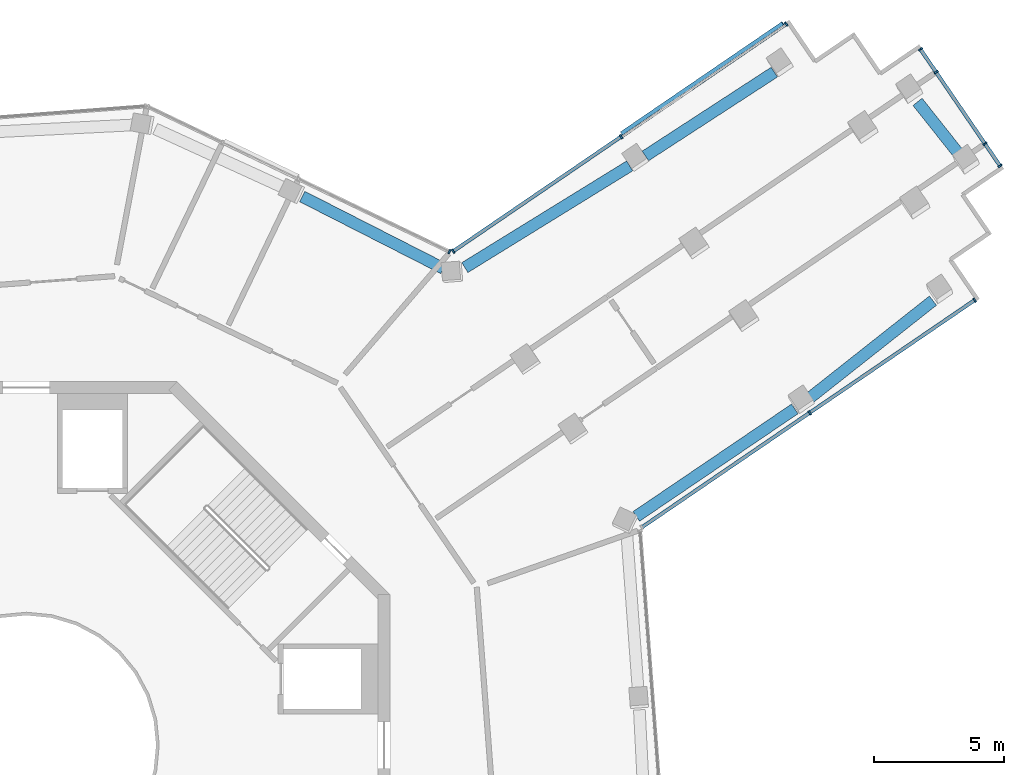
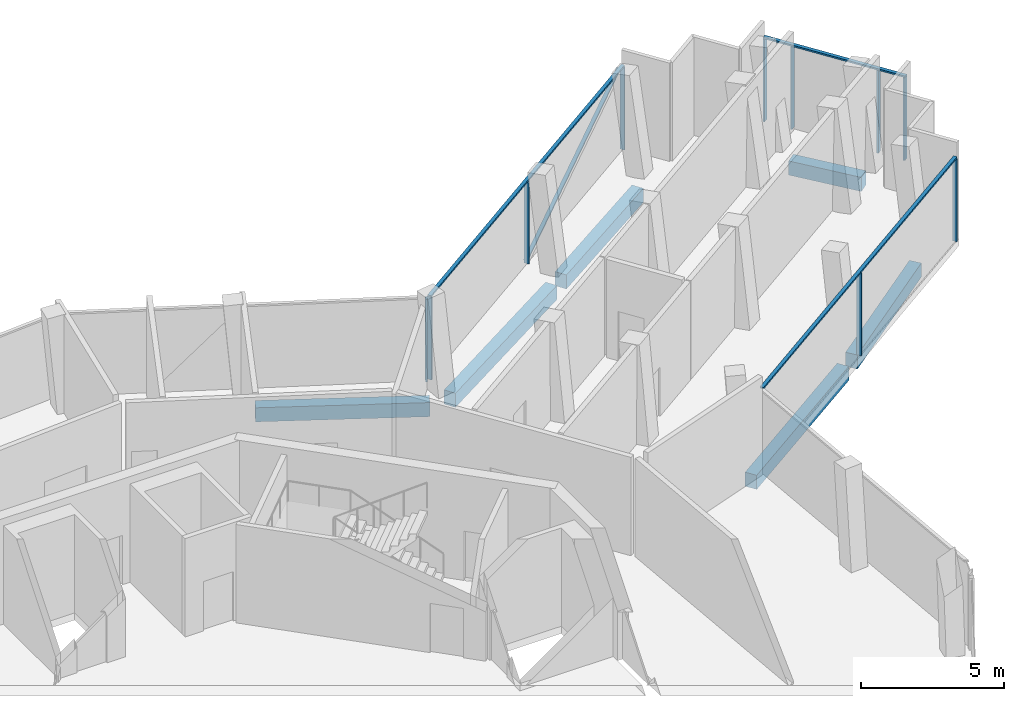
# One storey, part 8 of 19: 14 members, 6 beams, 4 elements without a shape of their own.
"""IFC4 building model written with IfcOpenShell, lengths in metres."""

import ifcopenshell
import ifcopenshell.guid

model = None  # the IFC model being written
_history = None  # IfcOwnerHistory: only IFC2X3 demands one
_inside = {}  # id of a spatial element -> (the spatial element, [elements in it])
_under = {}  # id of a project, library or spatial element -> (it, [spatial elements below it])
_declared = {}  # id of a project -> (the project, [libraries it declares])
_typed = {}  # id of a type object -> (the type object, [elements of that type])
_made_of = {}  # id of a material, layer set ... -> (it, [elements and type objects made of it])


def new_model(schema):
    """Start an empty IFC model of exactly this schema.

    Asked for "IFC4X3", IfcOpenShell would pick the latest addendum, in which some entities
    have other attributes; the version numbers below select the first issue.
    IFC2X3 requires an IfcOwnerHistory on every rooted entity: one is made here for all.
    """
    global model, _history
    if schema == "IFC4X3":
        model = ifcopenshell.file(schema_version=(4, 3, 0, 0))
    else:
        model = ifcopenshell.file(schema=schema)
    _inside.clear()
    _under.clear()
    _declared.clear()
    _typed.clear()
    _made_of.clear()
    _history = None
    if model.schema == "IFC2X3":
        org = make("IfcOrganization", Name="unknown")
        user = make(
            "IfcPersonAndOrganization",
            ThePerson=make("IfcPerson", FamilyName="unknown"),
            TheOrganization=org,
        )
        app = make(
            "IfcApplication",
            ApplicationDeveloper=org,
            Version="unknown",
            ApplicationFullName="unknown",
            ApplicationIdentifier="unknown",
        )
        _history = make(
            "IfcOwnerHistory",
            OwningUser=user,
            OwningApplication=app,
            ChangeAction="ADDED",
            CreationDate=0,
        )
    return model


def make(cls, **values):
    """One entity of the class cls with the attributes given. An attribute that is None is left unset."""
    return model.create_entity(
        cls, **{name: value for name, value in values.items() if value is not None}
    )


def rooted(cls, **values):
    """An entity with a GlobalId (a new one), such as an element, a storey or a relation."""
    return make(cls, GlobalId=ifcopenshell.guid.new(), OwnerHistory=_history, **values)


def si_unit(unit_type, name, prefix=None):
    """IfcSIUnit, for example si_unit("LENGTHUNIT", "METRE", prefix="MILLI")."""
    return make("IfcSIUnit", UnitType=unit_type, Prefix=prefix, Name=name)


def assignment(units):
    """IfcUnitAssignment: the units of a project."""
    return None if units is None else make("IfcUnitAssignment", Units=units)


def point(xyz):
    """IfcCartesianPoint."""
    return None if xyz is None else make("IfcCartesianPoint", Coordinates=xyz)


def direction(xyz):
    """IfcDirection."""
    return None if xyz is None else make("IfcDirection", DirectionRatios=xyz)


def frame(location, z_axis=None, x_axis=None):
    """IfcAxis2Placement3D, a coordinate frame: its origin and axes. An axis left out is left unset."""
    return make(
        "IfcAxis2Placement3D",
        Location=point(location),
        Axis=direction(z_axis),
        RefDirection=direction(x_axis),
    )


def frame_2d(location, x_axis=None):
    """IfcAxis2Placement2D, a coordinate frame in the plane: its origin and x axis."""
    return make(
        "IfcAxis2Placement2D", Location=point(location), RefDirection=direction(x_axis)
    )


def origin():
    """The frame at (0, 0, 0) with its axes left unset."""
    return frame((0.0, 0.0, 0.0))


def origin_2d():
    """The frame at (0, 0) in the plane with its x axis left unset."""
    return frame_2d((0.0, 0.0))


def place(relative_to, where):
    """IfcLocalPlacement: puts the frame where relative to a parent placement (None: the world)."""
    return make(
        "IfcLocalPlacement", PlacementRelTo=relative_to, RelativePlacement=where
    )


def context(
    kind, dimensions, precision=None, world=None, true_north=None, identifier=None
):
    """IfcGeometricRepresentationContext, for example the 3D "Model" context."""
    return make(
        "IfcGeometricRepresentationContext",
        ContextIdentifier=identifier,
        ContextType=kind,
        CoordinateSpaceDimension=dimensions,
        Precision=precision,
        WorldCoordinateSystem=world,
        TrueNorth=true_north,
    )


def subcontext(parent, identifier, kind, view, scale=None):
    """IfcGeometricRepresentationSubContext, for example "Body" below "Model"."""
    return make(
        "IfcGeometricRepresentationSubContext",
        ContextIdentifier=identifier,
        ContextType=kind,
        ParentContext=parent,
        TargetScale=scale,
        TargetView=view,
    )


def project(units=None, contexts=None):
    """IfcProject with its units and contexts."""
    return rooted(
        "IfcProject",
        Name="project",
        RepresentationContexts=contexts,
        UnitsInContext=assignment(units),
    )


def spatial(cls, under=None, at=None, **own):
    """A site, building, storey or space (cls), placed at a placement, below another one or the project."""
    s = rooted(cls, ObjectPlacement=at, **own)
    if under is not None:
        _under.setdefault(under.id(), (under, []))[1].append(s)
    return s


def profile(cls, at=None, kind="AREA", **sizes):
    """A parametric profile (cls). Its sizes go by their IFC names, for example OverallWidth=200.0."""
    return make(cls, ProfileType=kind, Position=at, **sizes)


def rectangle(**sizes):
    """IfcRectangleProfileDef."""
    return profile("IfcRectangleProfileDef", **sizes)


def extrude(swept, where, along, depth):
    """IfcExtrudedAreaSolid: the profile swept, set in the frame where, extruded along a direction by depth."""
    return make(
        "IfcExtrudedAreaSolid",
        SweptArea=swept,
        Position=where,
        ExtrudedDirection=direction(along),
        Depth=depth,
    )


def shape(context_of_items, identifier, shape_type, items):
    """IfcShapeRepresentation: the items that make up one representation, for example the "Body"."""
    return make(
        "IfcShapeRepresentation",
        ContextOfItems=context_of_items,
        RepresentationIdentifier=identifier,
        RepresentationType=shape_type,
        Items=items,
    )


def material(Name=None, Category=None):
    """IfcMaterial."""
    return make("IfcMaterial", Name=Name, Category=Category)


def layer(
    of_material, thickness, ventilated=None, Name=None, Category=None, Priority=None
):
    """IfcMaterialLayer: one layer of a wall or slab, of a material (None: an air gap)."""
    return make(
        "IfcMaterialLayer",
        Material=of_material,
        LayerThickness=thickness,
        IsVentilated=ventilated,
        Name=Name,
        Category=Category,
        Priority=Priority,
    )


def layer_set(layers, Name=None):
    """IfcMaterialLayerSet."""
    return make("IfcMaterialLayerSet", MaterialLayers=layers, LayerSetName=Name)


def material_profile(
    of_material, cross_section, Name=None, Category=None, Priority=None
):
    """IfcMaterialProfile: a cross section and its material."""
    return make(
        "IfcMaterialProfile",
        Name=Name,
        Material=of_material,
        Profile=cross_section,
        Priority=Priority,
        Category=Category,
    )


def profile_set(profiles, Name=None, composite=None):
    """IfcMaterialProfileSet."""
    return make(
        "IfcMaterialProfileSet",
        Name=Name,
        MaterialProfiles=profiles,
        CompositeProfile=composite,
    )


def made_of(thing, what):
    """Note that an element or type object is made of a material, layer set ...; save() writes the relation."""
    if what is not None:
        _made_of.setdefault(what.id(), (what, []))[1].append(thing)
    return thing


def type_object(cls, material=None, **own):
    """A type object (cls), such as IfcWallType, which elements share."""
    return made_of(rooted(cls, **own), material)


def element(
    cls,
    number,
    at=None,
    inside=None,
    cuts=None,
    type_object=None,
    material=None,
    context=None,
    identifier="Body",
    shape_type=None,
    held_by="IfcProductDefinitionShape",
    body=None,
    shapes=None,
    **own,
):
    """One element of the class cls, such as IfcWall. Its Tag is "e" and its number.

    at: its placement. inside: the storey or other place that contains it. cuts: it is an
    opening in that element (IfcRelVoidsElement). A single representation is given by context,
    identifier, shape_type and body (its items); several are given by shapes. held_by: the class
    of the entity that holds the representations. save() writes the other relations.
    """
    e = rooted(cls, Tag="e%d" % number, ObjectPlacement=at, **own)
    if body is not None:
        shapes = [shape(context, identifier, shape_type, body)]
    if shapes is not None:
        e.Representation = make(held_by, Representations=shapes)
    if inside is not None:
        _inside.setdefault(inside.id(), (inside, []))[1].append(e)
    if cuts is not None:
        rooted(
            "IfcRelVoidsElement", RelatingBuildingElement=cuts, RelatedOpeningElement=e
        )
    if type_object is not None:
        _typed.setdefault(type_object.id(), (type_object, []))[1].append(e)
    return made_of(e, material)


def aggregate(whole, parts):
    """IfcRelAggregates: a whole, such as a stair, and the parts it consists of."""
    return rooted("IfcRelAggregates", RelatingObject=whole, RelatedObjects=parts)


def save(model, path):
    """Write the relations noted so far, then the file.

    IfcRelAggregates (storeys below a building ...), IfcRelContainedInSpatialStructure (elements
    in a storey), IfcRelDefinesByType, IfcRelAssociatesMaterial and IfcRelDeclares: one each for
    every whole, place, type object, material and project.
    """
    for whole, parts in _under.values():
        aggregate(whole, parts)
    for where, things in _inside.values():
        rooted(
            "IfcRelContainedInSpatialStructure",
            RelatedElements=things,
            RelatingStructure=where,
        )
    for kind, things in _typed.values():
        rooted("IfcRelDefinesByType", RelatedObjects=things, RelatingType=kind)
    for what, things in _made_of.values():
        rooted("IfcRelAssociatesMaterial", RelatedObjects=things, RelatingMaterial=what)
    for by, libraries in _declared.values():
        rooted("IfcRelDeclares", RelatingContext=by, RelatedDefinitions=libraries)
    model.write(path)


model = new_model("IFC4")

# Units and contexts
model_context = context("Model", 3, precision=1e-05, world=origin(), true_north=direction((0.0, 1.0)))
body_context = subcontext(model_context, "Body", "Model", "MODEL_VIEW")
ifc_project = project(units=[si_unit("LENGTHUNIT", "METRE"), si_unit("AREAUNIT", "SQUARE_METRE"), si_unit("VOLUMEUNIT", "CUBIC_METRE"), si_unit("PLANEANGLEUNIT", "RADIAN"), si_unit("MASSUNIT", "GRAM", prefix="KILO")], contexts=[model_context])

# Site, building, storey
site_placement = place(None, origin())
site = spatial("IfcSite", under=ifc_project, at=site_placement, CompositionType="ELEMENT")
building_placement = place(site_placement, origin())
building = spatial("IfcBuilding", under=site, at=building_placement, Name="Verdalira Terraces Hotel", CompositionType="ELEMENT")
storey_placement = place(building_placement, frame((0.0, 0.0, 295.0)))
storey = spatial("IfcBuildingStorey", under=building, at=storey_placement, Name="L73", CompositionType="ELEMENT", Elevation=295.0)

# Curtain wall, members
ifc_material_1 = material(Name="Clear glass", Category="glass")
ifc_layer = layer(ifc_material_1, 0.179931640625)
ifc_layer_set = layer_set([ifc_layer], Name="CW4 curtain wall")
curtain_wall_type = type_object("IfcCurtainWallType", Name="CW4 curtain wall", PredefinedType="NOTDEFINED", material=ifc_layer_set)
curtain_wall_1_placement = place(storey_placement, origin())
curtain_wall_1 = element("IfcCurtainWall", 1, at=curtain_wall_1_placement, inside=storey, type_object=curtain_wall_type, Name="CW4 curtain wall L73 edge 28", PredefinedType="NOTDEFINED")
ifc_material_2 = material(Name="Terracotta frame", Category="masonry")
ifc_material_profile_1 = material_profile(ifc_material_2, rectangle(XDim=0.064941, YDim=0.179932, at=origin_2d()), Name="MU 65x180")
ifc_profile_set_1 = profile_set([ifc_material_profile_1], Name="Terracotta frame")
member_type_1 = type_object("IfcMemberType", Name="CW4 mullion 65x180", PredefinedType="MULLION", material=ifc_profile_set_1)
member_1_placement = place(storey_placement, frame((30.173584, 12.801025, 0.0), z_axis=(0.0, 0.0, 1.0), x_axis=(0.825901536, 0.563814377, 0.0)))
member_1 = element("IfcMember", 2, at=member_1_placement, type_object=member_type_1, Name="CW4 mullion", PredefinedType="MULLION", context=body_context, shape_type="SweptSolid", body=[
    extrude(rectangle(XDim=0.064941, YDim=0.179932, at=origin_2d()), origin(), (0.0, 0.0, 1.0), 3.52002),
])
member_2_placement = place(storey_placement, frame((36.530762, 17.140625, 0.0), z_axis=(0.0, 0.0, 1.0), x_axis=(0.825901536, 0.563814377, 0.0)))
member_2 = element("IfcMember", 3, at=member_2_placement, type_object=member_type_1, Name="CW4 mullion", PredefinedType="MULLION", context=body_context, shape_type="SweptSolid", body=[
    extrude(rectangle(XDim=0.064941, YDim=0.179932, at=origin_2d()), origin(), (0.0, 0.0, 1.0), 3.52002),
])

curtain_wall_2_placement = place(storey_placement, origin())
curtain_wall_2 = element("IfcCurtainWall", 4, at=curtain_wall_2_placement, inside=storey, type_object=curtain_wall_type, Name="CW4 curtain wall L73 edge 33", PredefinedType="NOTDEFINED")
member_3_placement = place(storey_placement, frame((37.506348, 22.313965, 0.0), z_axis=(0.0, 0.0, 1.0), x_axis=(-0.563814377, 0.825901536, 0.0)))
member_3 = element("IfcMember", 5, at=member_3_placement, type_object=member_type_1, Name="CW4 mullion", PredefinedType="MULLION", context=body_context, shape_type="SweptSolid", body=[
    extrude(rectangle(XDim=0.064941, YDim=0.179932, at=origin_2d()), origin(), (0.0, 0.0, 1.0), 3.52002),
])
member_4_placement = place(storey_placement, frame((36.926514, 23.163086, 0.0), z_axis=(0.0, 0.0, 1.0), x_axis=(-0.563814377, 0.825901536, 0.0)))
member_4 = element("IfcMember", 6, at=member_4_placement, type_object=member_type_1, Name="CW4 mullion", PredefinedType="MULLION", context=body_context, shape_type="SweptSolid", body=[
    extrude(rectangle(XDim=0.064941, YDim=0.179932, at=origin_2d()), origin(), (0.0, 0.0, 1.0), 3.52002),
])
member_5_placement = place(storey_placement, frame((35.043213, 25.922119, 0.0), z_axis=(0.0, 0.0, 1.0), x_axis=(-0.563814377, 0.825901536, 0.0)))
member_5 = element("IfcMember", 7, at=member_5_placement, type_object=member_type_1, Name="CW4 mullion", PredefinedType="MULLION", context=body_context, shape_type="SweptSolid", body=[
    extrude(rectangle(XDim=0.064941, YDim=0.179932, at=origin_2d()), origin(), (0.0, 0.0, 1.0), 3.52002),
])
member_6_placement = place(storey_placement, frame((34.441895, 26.802734, 0.0), z_axis=(0.0, 0.0, 1.0), x_axis=(-0.563814377, 0.825901536, 0.0)))
member_6 = element("IfcMember", 8, at=member_6_placement, type_object=member_type_1, Name="CW4 mullion", PredefinedType="MULLION", context=body_context, shape_type="SweptSolid", body=[
    extrude(rectangle(XDim=0.064941, YDim=0.179932, at=origin_2d()), origin(), (0.0, 0.0, 1.0), 3.52002),
])

curtain_wall_3_placement = place(storey_placement, origin())
curtain_wall_3 = element("IfcCurtainWall", 9, at=curtain_wall_3_placement, inside=storey, type_object=curtain_wall_type, Name="CW4 curtain wall L73 edge 38", PredefinedType="NOTDEFINED")
member_7_placement = place(storey_placement, frame((29.268799, 27.77832, 0.0), z_axis=(0.0, 0.0, 1.0), x_axis=(-0.825901536, -0.563814377, 0.0)))
member_7 = element("IfcMember", 10, at=member_7_placement, type_object=member_type_1, Name="CW4 mullion", PredefinedType="MULLION", context=body_context, shape_type="SweptSolid", body=[
    extrude(rectangle(XDim=0.064941, YDim=0.179932, at=origin_2d()), origin(), (0.0, 0.0, 1.0), 3.52002),
])
member_8_placement = place(storey_placement, frame((22.911865, 23.438721, 0.0), z_axis=(0.0, 0.0, 1.0), x_axis=(-0.825901536, -0.563814377, 0.0)))
member_8 = element("IfcMember", 11, at=member_8_placement, type_object=member_type_1, Name="CW4 mullion", PredefinedType="MULLION", context=body_context, shape_type="SweptSolid", body=[
    extrude(rectangle(XDim=0.064941, YDim=0.179932, at=origin_2d()), origin(), (0.0, 0.0, 1.0), 3.52002),
])
member_9_placement = place(storey_placement, frame((16.445068, 19.02417, 0.0), z_axis=(0.0, 0.0, 1.0), x_axis=(-0.825901536, -0.563814377, 0.0)))
member_9 = element("IfcMember", 12, at=member_9_placement, type_object=member_type_1, Name="CW4 mullion", PredefinedType="MULLION", context=body_context, shape_type="SweptSolid", body=[
    extrude(rectangle(XDim=0.064941, YDim=0.179932, at=origin_2d()), origin(), (0.0, 0.0, 1.0), 3.52002),
])

# Curtain wall, member
curtain_wall_4_placement = place(storey_placement, origin())
curtain_wall_4 = element("IfcCurtainWall", 13, at=curtain_wall_4_placement, inside=storey, type_object=curtain_wall_type, Name="CW4 curtain wall L73 edge 39", PredefinedType="NOTDEFINED")
member_10_placement = place(storey_placement, frame((16.299316, 19.013184, 0.0), z_axis=(0.0, 0.0, 1.0), x_axis=(-0.901228342, 0.433344523, 0.0)))
member_10 = element("IfcMember", 14, at=member_10_placement, type_object=member_type_1, Name="CW4 mullion", PredefinedType="MULLION", context=body_context, shape_type="SweptSolid", body=[
    extrude(rectangle(XDim=0.064941, YDim=0.179932, at=origin_2d()), origin(), (0.0, 0.0, 1.0), 3.52002),
])
aggregate(curtain_wall_4, [member_10])

# Member
ifc_material_3 = material(Name="Terracotta frame", Category="masonry")
ifc_material_profile_2 = material_profile(ifc_material_3, rectangle(XDim=0.139893, YDim=0.070068, at=origin_2d()), Name="TR 70x140")
ifc_profile_set_2 = profile_set([ifc_material_profile_2], Name="Terracotta frame")
member_type_2 = type_object("IfcMemberType", Name="CW4 transom 70x140", PredefinedType="USERDEFINED", material=ifc_profile_set_2)
member_11_placement = place(storey_placement, frame((23.680176, 8.368164, 3.554932), z_axis=(0.825907862, 0.563805111, 0.0), x_axis=(-0.563805111, 0.825907862, 0.0)))
member_11 = element("IfcMember", 15, at=member_11_placement, type_object=member_type_2, Name="CW4 transom", ObjectType="TRANSOM", PredefinedType="USERDEFINED", context=body_context, shape_type="SweptSolid", body=[
    extrude(rectangle(XDim=0.139893, YDim=0.070068, at=origin_2d()), origin(), (0.0, 0.0, 1.0), 15.591797),
])

aggregate(curtain_wall_1, [member_1, member_2, member_11])

member_12_placement = place(storey_placement, frame((37.524658, 22.287109, 3.554932), z_axis=(-0.563824313, 0.825894754, 0.0), x_axis=(-0.825894754, -0.563824313, 0.0)))
member_12 = element("IfcMember", 16, at=member_12_placement, type_object=member_type_2, Name="CW4 transom", ObjectType="TRANSOM", PredefinedType="USERDEFINED", context=body_context, shape_type="SweptSolid", body=[
    extrude(rectangle(XDim=0.139893, YDim=0.070068, at=origin_2d()), origin(), (0.0, 0.0, 1.0), 5.5),
])

aggregate(curtain_wall_2, [member_3, member_4, member_5, member_6, member_12])

member_13_placement = place(storey_placement, frame((29.295654, 27.796631, 3.554932), z_axis=(-0.825907862, -0.563805111, 0.0), x_axis=(0.563805111, -0.825907862, 0.0)))
member_13 = element("IfcMember", 17, at=member_13_placement, type_object=member_type_2, Name="CW4 transom", ObjectType="TRANSOM", PredefinedType="USERDEFINED", context=body_context, shape_type="SweptSolid", body=[
    extrude(rectangle(XDim=0.139893, YDim=0.070068, at=origin_2d()), origin(), (0.0, 0.0, 1.0), 15.591797),
])

ifc_material_4 = material(Name="Terracotta frame", Category="masonry")
ifc_material_profile_3 = material_profile(ifc_material_4, rectangle(XDim=0.149902, YDim=0.060059, at=origin_2d()), Name="GB 60x150")
ifc_profile_set_3 = profile_set([ifc_material_profile_3], Name="Terracotta frame")
member_type_3 = type_object("IfcMemberType", Name="Diagonal glazing bar 60x150", PredefinedType="USERDEFINED", material=ifc_profile_set_3)
member_14_placement = place(storey_placement, frame((29.13916, 27.80249, 3.491943), z_axis=(-0.749972069, -0.51198597, -0.418822471), x_axis=(0.563818893, -0.825898454, 0.0)))
member_14 = element("IfcMember", 18, at=member_14_placement, type_object=member_type_3, Name="Diagonal glazing bar", ObjectType="GLAZING BAR", PredefinedType="USERDEFINED", context=body_context, shape_type="SweptSolid", body=[
    extrude(rectangle(XDim=0.149902, YDim=0.060059, at=origin_2d()), origin(), (0.0, 0.0, 1.0), 8.270508),
])

aggregate(curtain_wall_3, [member_7, member_8, member_9, member_13, member_14])

# Beams
ifc_material_5 = material(Name="Concrete C40", Category="concrete")
ifc_material_profile_4 = material_profile(ifc_material_5, rectangle(XDim=0.449951, YDim=0.600098, at=origin_2d()), Name="RC 450X600")
ifc_profile_set_4 = profile_set([ifc_material_profile_4], Name="Concrete C40")
beam_type = type_object("IfcBeamType", Name="Spandrel beam RC 450X600 C40", PredefinedType="SPANDREL", material=ifc_profile_set_4)
beam_1_placement = place(storey_placement, frame((23.494141, 8.808838, -0.610107), z_axis=(0.827516415, 0.561441522, 0.0), x_axis=(-0.561441522, 0.827516415, 0.0)))
element("IfcBeam", 19, at=beam_1_placement, inside=storey, type_object=beam_type, Name="Spandrel beam B19", PredefinedType="SPANDREL", context=body_context, shape_type="SweptSolid", body=[
    extrude(rectangle(XDim=0.449951, YDim=0.600098, at=origin_2d()), origin(), (0.0, 0.0, 1.0), 7.376221),
])
beam_2_placement = place(storey_placement, frame((30.189209, 13.384033, -0.610107), z_axis=(0.784829917, 0.619711224, 0.0), x_axis=(-0.619711224, 0.784829917, 0.0)))
element("IfcBeam", 20, at=beam_2_placement, inside=storey, type_object=beam_type, Name="Spandrel beam B20", PredefinedType="SPANDREL", context=body_context, shape_type="SweptSolid", body=[
    extrude(rectangle(XDim=0.449951, YDim=0.600098, at=origin_2d()), origin(), (0.0, 0.0, 1.0), 6.031006),
])
beam_3_placement = place(storey_placement, frame((36.025391, 22.637695, -0.610107), z_axis=(-0.621495016, 0.783418117, 0.0), x_axis=(-0.783418117, -0.621495016, 0.0)))
element("IfcBeam", 21, at=beam_3_placement, inside=storey, type_object=beam_type, Name="Spandrel beam B21", PredefinedType="SPANDREL", context=body_context, shape_type="SweptSolid", body=[
    extrude(rectangle(XDim=0.449951, YDim=0.600098, at=origin_2d()), origin(), (0.0, 0.0, 1.0), 2.730469),
])
beam_4_placement = place(storey_placement, frame((28.813232, 25.923584, -0.610107), z_axis=(-0.838369276, -0.545102703, 0.0), x_axis=(0.545102703, -0.838369276, 0.0)))
element("IfcBeam", 22, at=beam_4_placement, inside=storey, type_object=beam_type, Name="Spandrel beam B22", PredefinedType="SPANDREL", context=body_context, shape_type="SweptSolid", body=[
    extrude(rectangle(XDim=0.449951, YDim=0.600098, at=origin_2d()), origin(), (0.0, 0.0, 1.0), 5.928223),
])
beam_5_placement = place(storey_placement, frame((23.241455, 22.311279, -0.610107), z_axis=(-0.851108493, -0.524989842, 0.0), x_axis=(0.524989842, -0.851108493, 0.0)))
element("IfcBeam", 23, at=beam_5_placement, inside=storey, type_object=beam_type, Name="Spandrel beam B23", PredefinedType="SPANDREL", context=body_context, shape_type="SweptSolid", body=[
    extrude(rectangle(XDim=0.449951, YDim=0.600098, at=origin_2d()), origin(), (0.0, 0.0, 1.0), 7.461426),
])
beam_6_placement = place(storey_placement, frame((16.060547, 18.362549, -0.610107), z_axis=(-0.890973486, 0.454055336, 0.0), x_axis=(-0.454055336, -0.890973486, 0.0)))
element("IfcBeam", 24, at=beam_6_placement, inside=storey, type_object=beam_type, Name="Spandrel beam B24", PredefinedType="SPANDREL", context=body_context, shape_type="SweptSolid", body=[
    extrude(rectangle(XDim=0.449951, YDim=0.600098, at=origin_2d()), origin(), (0.0, 0.0, 1.0), 6.097412),
])

save(model, "model.ifc")
